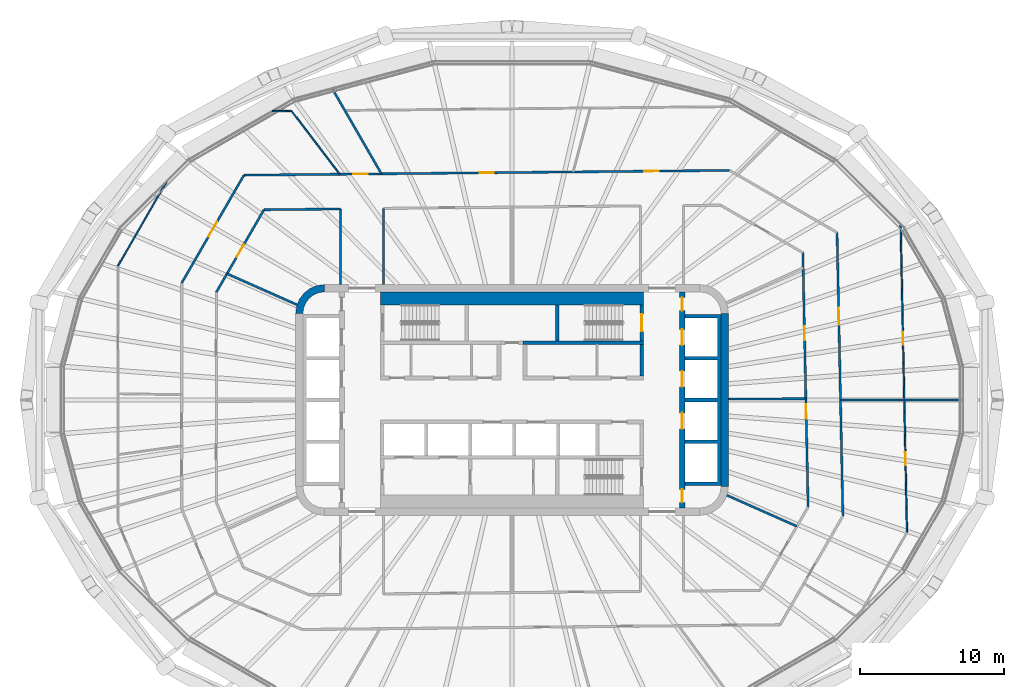
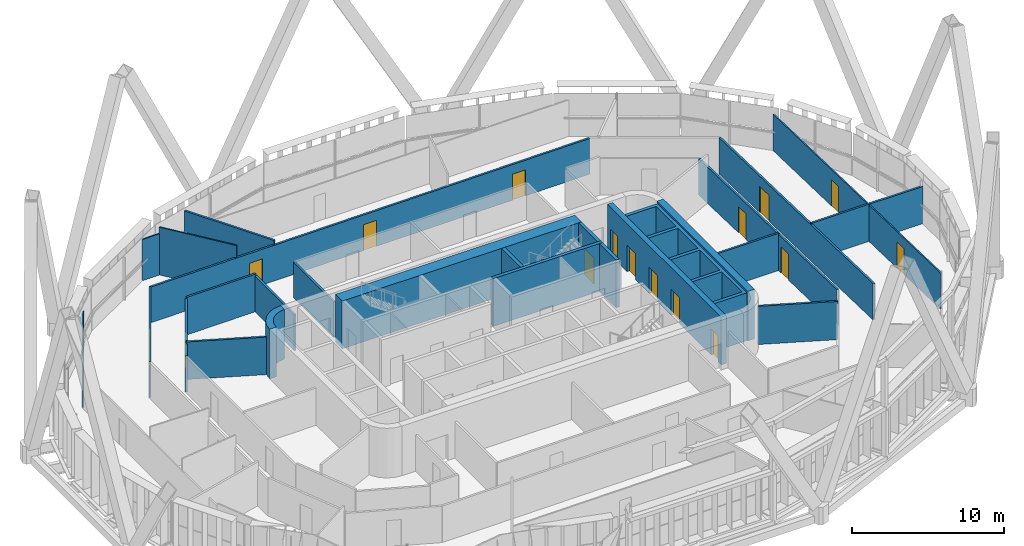
# One storey, part 16 of 25: 26 walls, 16 doors, 16 openings.
"""IFC4 building model written with IfcOpenShell, lengths in metres."""

import ifcopenshell
import ifcopenshell.guid

model = None  # the IFC model being written
_history = None  # IfcOwnerHistory: only IFC2X3 demands one
_inside = {}  # id of a spatial element -> (the spatial element, [elements in it])
_under = {}  # id of a project, library or spatial element -> (it, [spatial elements below it])
_declared = {}  # id of a project -> (the project, [libraries it declares])
_typed = {}  # id of a type object -> (the type object, [elements of that type])
_made_of = {}  # id of a material, layer set ... -> (it, [elements and type objects made of it])


def new_model(schema):
    """Start an empty IFC model of exactly this schema.

    Asked for "IFC4X3", IfcOpenShell would pick the latest addendum, in which some entities
    have other attributes; the version numbers below select the first issue.
    IFC2X3 requires an IfcOwnerHistory on every rooted entity: one is made here for all.
    """
    global model, _history
    if schema == "IFC4X3":
        model = ifcopenshell.file(schema_version=(4, 3, 0, 0))
    else:
        model = ifcopenshell.file(schema=schema)
    _inside.clear()
    _under.clear()
    _declared.clear()
    _typed.clear()
    _made_of.clear()
    _history = None
    if model.schema == "IFC2X3":
        org = make("IfcOrganization", Name="unknown")
        user = make(
            "IfcPersonAndOrganization",
            ThePerson=make("IfcPerson", FamilyName="unknown"),
            TheOrganization=org,
        )
        app = make(
            "IfcApplication",
            ApplicationDeveloper=org,
            Version="unknown",
            ApplicationFullName="unknown",
            ApplicationIdentifier="unknown",
        )
        _history = make(
            "IfcOwnerHistory",
            OwningUser=user,
            OwningApplication=app,
            ChangeAction="ADDED",
            CreationDate=0,
        )
    return model


def make(cls, **values):
    """One entity of the class cls with the attributes given. An attribute that is None is left unset."""
    return model.create_entity(
        cls, **{name: value for name, value in values.items() if value is not None}
    )


def rooted(cls, **values):
    """An entity with a GlobalId (a new one), such as an element, a storey or a relation."""
    return make(cls, GlobalId=ifcopenshell.guid.new(), OwnerHistory=_history, **values)


def si_unit(unit_type, name, prefix=None):
    """IfcSIUnit, for example si_unit("LENGTHUNIT", "METRE", prefix="MILLI")."""
    return make("IfcSIUnit", UnitType=unit_type, Prefix=prefix, Name=name)


def assignment(units):
    """IfcUnitAssignment: the units of a project."""
    return None if units is None else make("IfcUnitAssignment", Units=units)


def point(xyz):
    """IfcCartesianPoint."""
    return None if xyz is None else make("IfcCartesianPoint", Coordinates=xyz)


def direction(xyz):
    """IfcDirection."""
    return None if xyz is None else make("IfcDirection", DirectionRatios=xyz)


def frame(location, z_axis=None, x_axis=None):
    """IfcAxis2Placement3D, a coordinate frame: its origin and axes. An axis left out is left unset."""
    return make(
        "IfcAxis2Placement3D",
        Location=point(location),
        Axis=direction(z_axis),
        RefDirection=direction(x_axis),
    )


def frame_2d(location, x_axis=None):
    """IfcAxis2Placement2D, a coordinate frame in the plane: its origin and x axis."""
    return make(
        "IfcAxis2Placement2D", Location=point(location), RefDirection=direction(x_axis)
    )


def origin():
    """The frame at (0, 0, 0) with its axes left unset."""
    return frame((0.0, 0.0, 0.0))


def place(relative_to, where):
    """IfcLocalPlacement: puts the frame where relative to a parent placement (None: the world)."""
    return make(
        "IfcLocalPlacement", PlacementRelTo=relative_to, RelativePlacement=where
    )


def context(
    kind, dimensions, precision=None, world=None, true_north=None, identifier=None
):
    """IfcGeometricRepresentationContext, for example the 3D "Model" context."""
    return make(
        "IfcGeometricRepresentationContext",
        ContextIdentifier=identifier,
        ContextType=kind,
        CoordinateSpaceDimension=dimensions,
        Precision=precision,
        WorldCoordinateSystem=world,
        TrueNorth=true_north,
    )


def subcontext(parent, identifier, kind, view, scale=None):
    """IfcGeometricRepresentationSubContext, for example "Body" below "Model"."""
    return make(
        "IfcGeometricRepresentationSubContext",
        ContextIdentifier=identifier,
        ContextType=kind,
        ParentContext=parent,
        TargetScale=scale,
        TargetView=view,
    )


def project(units=None, contexts=None):
    """IfcProject with its units and contexts."""
    return rooted(
        "IfcProject",
        Name="project",
        RepresentationContexts=contexts,
        UnitsInContext=assignment(units),
    )


def spatial(cls, under=None, at=None, **own):
    """A site, building, storey or space (cls), placed at a placement, below another one or the project."""
    s = rooted(cls, ObjectPlacement=at, **own)
    if under is not None:
        _under.setdefault(under.id(), (under, []))[1].append(s)
    return s


def polyline(points):
    """IfcPolyline through the points."""
    return make("IfcPolyline", Points=[point(p) for p in points])


def profile(cls, at=None, kind="AREA", **sizes):
    """A parametric profile (cls). Its sizes go by their IFC names, for example OverallWidth=200.0."""
    return make(cls, ProfileType=kind, Position=at, **sizes)


def rectangle(**sizes):
    """IfcRectangleProfileDef."""
    return profile("IfcRectangleProfileDef", **sizes)


def outline(outer, holes=None, kind="AREA"):
    """IfcArbitraryClosedProfileDef: a profile drawn as a closed curve; with holes, ...WithVoids."""
    if holes is None:
        return make("IfcArbitraryClosedProfileDef", ProfileType=kind, OuterCurve=outer)
    return make(
        "IfcArbitraryProfileDefWithVoids",
        ProfileType=kind,
        OuterCurve=outer,
        InnerCurves=holes,
    )


def extrude(swept, where, along, depth):
    """IfcExtrudedAreaSolid: the profile swept, set in the frame where, extruded along a direction by depth."""
    return make(
        "IfcExtrudedAreaSolid",
        SweptArea=swept,
        Position=where,
        ExtrudedDirection=direction(along),
        Depth=depth,
    )


def shape(context_of_items, identifier, shape_type, items):
    """IfcShapeRepresentation: the items that make up one representation, for example the "Body"."""
    return make(
        "IfcShapeRepresentation",
        ContextOfItems=context_of_items,
        RepresentationIdentifier=identifier,
        RepresentationType=shape_type,
        Items=items,
    )


def material(Name=None, Category=None):
    """IfcMaterial."""
    return make("IfcMaterial", Name=Name, Category=Category)


def layer(
    of_material, thickness, ventilated=None, Name=None, Category=None, Priority=None
):
    """IfcMaterialLayer: one layer of a wall or slab, of a material (None: an air gap)."""
    return make(
        "IfcMaterialLayer",
        Material=of_material,
        LayerThickness=thickness,
        IsVentilated=ventilated,
        Name=Name,
        Category=Category,
        Priority=Priority,
    )


def layer_set(layers, Name=None):
    """IfcMaterialLayerSet."""
    return make("IfcMaterialLayerSet", MaterialLayers=layers, LayerSetName=Name)


def made_of(thing, what):
    """Note that an element or type object is made of a material, layer set ...; save() writes the relation."""
    if what is not None:
        _made_of.setdefault(what.id(), (what, []))[1].append(thing)
    return thing


def type_object(cls, material=None, **own):
    """A type object (cls), such as IfcWallType, which elements share."""
    return made_of(rooted(cls, **own), material)


def element(
    cls,
    number,
    at=None,
    inside=None,
    cuts=None,
    type_object=None,
    material=None,
    context=None,
    identifier="Body",
    shape_type=None,
    held_by="IfcProductDefinitionShape",
    body=None,
    shapes=None,
    **own,
):
    """One element of the class cls, such as IfcWall. Its Tag is "e" and its number.

    at: its placement. inside: the storey or other place that contains it. cuts: it is an
    opening in that element (IfcRelVoidsElement). A single representation is given by context,
    identifier, shape_type and body (its items); several are given by shapes. held_by: the class
    of the entity that holds the representations. save() writes the other relations.
    """
    e = rooted(cls, Tag="e%d" % number, ObjectPlacement=at, **own)
    if body is not None:
        shapes = [shape(context, identifier, shape_type, body)]
    if shapes is not None:
        e.Representation = make(held_by, Representations=shapes)
    if inside is not None:
        _inside.setdefault(inside.id(), (inside, []))[1].append(e)
    if cuts is not None:
        rooted(
            "IfcRelVoidsElement", RelatingBuildingElement=cuts, RelatedOpeningElement=e
        )
    if type_object is not None:
        _typed.setdefault(type_object.id(), (type_object, []))[1].append(e)
    return made_of(e, material)


def fill(opening, filler):
    """IfcRelFillsElement: the door or window that sits in an opening."""
    return rooted(
        "IfcRelFillsElement",
        RelatingOpeningElement=opening,
        RelatedBuildingElement=filler,
    )


def aggregate(whole, parts):
    """IfcRelAggregates: a whole, such as a stair, and the parts it consists of."""
    return rooted("IfcRelAggregates", RelatingObject=whole, RelatedObjects=parts)


def save(model, path):
    """Write the relations noted so far, then the file.

    IfcRelAggregates (storeys below a building ...), IfcRelContainedInSpatialStructure (elements
    in a storey), IfcRelDefinesByType, IfcRelAssociatesMaterial and IfcRelDeclares: one each for
    every whole, place, type object, material and project.
    """
    for whole, parts in _under.values():
        aggregate(whole, parts)
    for where, things in _inside.values():
        rooted(
            "IfcRelContainedInSpatialStructure",
            RelatedElements=things,
            RelatingStructure=where,
        )
    for kind, things in _typed.values():
        rooted("IfcRelDefinesByType", RelatedObjects=things, RelatingType=kind)
    for what, things in _made_of.values():
        rooted("IfcRelAssociatesMaterial", RelatedObjects=things, RelatingMaterial=what)
    for by, libraries in _declared.values():
        rooted("IfcRelDeclares", RelatingContext=by, RelatedDefinitions=libraries)
    model.write(path)


model = new_model("IFC4")

# Units and contexts
model_context = context("Model", 3, precision=1e-05, world=origin(), true_north=direction((0.0, 1.0)))
body_context = subcontext(model_context, "Body", "Model", "MODEL_VIEW")
ifc_project = project(units=[si_unit("LENGTHUNIT", "METRE"), si_unit("AREAUNIT", "SQUARE_METRE"), si_unit("VOLUMEUNIT", "CUBIC_METRE"), si_unit("PLANEANGLEUNIT", "RADIAN"), si_unit("MASSUNIT", "GRAM", prefix="KILO")], contexts=[model_context])

# Site, building, storey
site_placement = place(None, origin())
site = spatial("IfcSite", under=ifc_project, at=site_placement, CompositionType="ELEMENT")
building_placement = place(site_placement, origin())
building = spatial("IfcBuilding", under=site, at=building_placement, Name="Sahrelin Media Tower", CompositionType="ELEMENT")
storey_placement = place(building_placement, frame((0.0, 0.0, 165.60009765625)))
storey = spatial("IfcBuildingStorey", under=building, at=storey_placement, Name="L34", CompositionType="ELEMENT", Elevation=165.60009765625)

# Walls
ifc_material_1 = material(Name="Concrete C60/75", Category="concrete")
ifc_layer_1 = layer(ifc_material_1, 0.5)
ifc_layer_set_1 = layer_set([ifc_layer_1], Name="Core wall 500")
wall_type_1 = type_object("IfcWallType", Name="Core wall 500", PredefinedType="SHEAR", material=ifc_layer_set_1)
wall_1_placement = place(storey_placement, frame((14.75, -6.0, 0.0), z_axis=(0.0, 0.0, 1.0), x_axis=(0.0, 1.0, 0.0)))
element("IfcWall", 1, at=wall_1_placement, inside=storey, type_object=wall_type_1, Name="Core wall E L34", PredefinedType="SHEAR", context=body_context, shape_type="SweptSolid", body=[
    extrude(rectangle(XDim=12.0, YDim=0.5, at=frame_2d((6.0, 0.0))), origin(), (0.0, 0.0, 1.0), 4.0),
])
placement = place(storey_placement, origin())
element("IfcWall", 2, at=placement, inside=storey, type_object=wall_type_1, Name="Core wall corner NW L34", PredefinedType="SHEAR", context=body_context, shape_type="SweptSolid", body=[
    extrude(outline(polyline([(-15.0, 6.0), (-14.49560546875, 6.0), (-14.44482421875, 6.38720703125), (-14.29541015625, 6.747802734375), (-14.0576171875, 7.0576171875), (-13.747802734375, 7.29541015625), (-13.38720703125, 7.44482421875), (-13.0, 7.49560546875), (-13.0, 8.0), (-13.517578125, 7.931884765625), (-14.0, 7.732177734375), (-14.414306640625, 7.414306640625), (-14.732177734375, 7.0), (-14.931884765625, 6.517578125), (-15.0, 6.0)])), origin(), (0.0, 0.0, 1.0), 4.0),
])
ifc_material_2 = material(Name="Fire-rated gypsum board partition")
ifc_layer_2 = layer(ifc_material_2, 0.25)
ifc_layer_set_2 = layer_set([ifc_layer_2], Name="Fire-rated lobby wall 250")
wall_type_2 = type_object("IfcWallType", Name="Fire-rated lobby wall 250", PredefinedType="PARTITIONING", material=ifc_layer_set_2)
wall_3_placement = place(storey_placement, frame((9.0, 1.64990234375, 0.0), z_axis=(0.0, 0.0, 1.0), x_axis=(0.0, 1.0, 0.0)))
element("IfcWall", 3, at=wall_3_placement, inside=storey, type_object=wall_type_2, Name="Core lobby wall", PredefinedType="PARTITIONING", context=body_context, shape_type="SweptSolid", body=[
    extrude(rectangle(XDim=2.2001953125, YDim=0.25, at=frame_2d((1.10009765625, 0.0))), origin(), (0.0, 0.0, 1.0), 3.849853515625),
])

# Wall, openings, doors
ifc_layer_3 = layer(ifc_material_2, 0.14990234375)
ifc_layer_set_3 = layer_set([ifc_layer_3], Name="Fire-rated partition 150")
wall_type_3 = type_object("IfcWallType", Name="Fire-rated partition 150", PredefinedType="PARTITIONING", material=ifc_layer_set_3)
wall_4_placement = place(storey_placement, frame((20.1669921875, 10.212890625, 0.0), z_axis=(0.0, 0.0, 1.0), x_axis=(0.020638567039, -0.999787002091, 0.0)))
wall_4 = element("IfcWall", 4, at=wall_4_placement, inside=storey, type_object=wall_type_3, Name="Wall", PredefinedType="PARTITIONING", context=body_context, shape_type="SweptSolid", body=[
    extrude(rectangle(XDim=17.637451171875, YDim=0.14990234375, at=frame_2d((8.81884765625, 0.0))), origin(), (0.0, 0.0, 1.0), 2.927001953125),
])
opening_1_placement = place(wall_4_placement, frame((10.50732421875, 0.0, 0.0)))
opening_1 = element("IfcOpeningElement", 5, at=opening_1_placement, cuts=wall_4, Name="Opening L34-D25", PredefinedType="OPENING", context=body_context, shape_type="SweptSolid", body=[
    extrude(rectangle(XDim=1.0, YDim=2.10009765625, at=frame_2d((0.5, 1.050048828125))), frame((0.0, 0.074951171875, 0.0), z_axis=(0.0, -1.0, 0.0), x_axis=(1.0, 0.0, 0.0)), (0.0, 0.0, 1.0), 0.14990234375),
])
opening_2_placement = place(wall_4_placement, frame((5.089111328125, 0.0, 0.0)))
opening_2 = element("IfcOpeningElement", 6, at=opening_2_placement, cuts=wall_4, Name="Opening L34-D26", PredefinedType="OPENING", context=body_context, shape_type="SweptSolid", body=[
    extrude(rectangle(XDim=1.0, YDim=2.10009765625, at=frame_2d((0.5, 1.050048828125))), frame((0.0, 0.074951171875, 0.0), z_axis=(0.0, -1.0, 0.0), x_axis=(1.0, 0.0, 0.0)), (0.0, 0.0, 1.0), 0.14990234375),
])
ifc_material_3 = material(Name="Steel fire door leaf", Category="steel")
door_type_1 = type_object("IfcDoorType", Name="Fire door 1000 x 2100 EI 60", OperationType="NOTDEFINED", PredefinedType="DOOR", material=ifc_material_3)
door_1_placement = place(opening_1_placement, origin())
door_1 = element("IfcDoor", 7, at=door_1_placement, inside=storey, type_object=door_type_1, Name="Fire door", OperationType="SINGLE_SWING_RIGHT", OverallHeight=2.10009765625, OverallWidth=1.0, PredefinedType="DOOR", context=body_context, shape_type="SweptSolid", body=[
    extrude(rectangle(XDim=1.0, YDim=2.10009765625, at=frame_2d((0.5, 1.050048828125))), frame((0.0, 0.02490234375, 0.0), z_axis=(0.0, -1.0, 0.0), x_axis=(1.0, 0.0, 0.0)), (0.0, 0.0, 1.0), 0.050048828125),
])
fill(opening_1, door_1)
door_2_placement = place(opening_2_placement, origin())
door_2 = element("IfcDoor", 8, at=door_2_placement, inside=storey, type_object=door_type_1, Name="Fire door", OperationType="SINGLE_SWING_LEFT", OverallHeight=2.10009765625, OverallWidth=1.0, PredefinedType="DOOR", context=body_context, shape_type="SweptSolid", body=[
    extrude(rectangle(XDim=1.0, YDim=2.10009765625, at=frame_2d((0.5, 1.050048828125))), frame((0.0, 0.02490234375, 0.0), z_axis=(0.0, -1.0, 0.0), x_axis=(1.0, 0.0, 0.0)), (0.0, 0.0, 1.0), 0.050048828125),
])
fill(opening_2, door_2)

# Wall, opening, door
wall_5_placement = place(storey_placement, frame((22.5390625, 11.614990234375, 0.0), z_axis=(0.0, 0.0, 1.0), x_axis=(0.020626332176, -0.99978725458, 0.0)))
wall_5 = element("IfcWall", 9, at=wall_5_placement, inside=storey, type_object=wall_type_3, Name="Wall", PredefinedType="PARTITIONING", context=body_context, shape_type="SweptSolid", body=[
    extrude(rectangle(XDim=19.66015625, YDim=0.14990234375, at=frame_2d((9.830078125, 0.0))), origin(), (0.0, 0.0, 1.0), 2.927001953125),
])
opening_3_placement = place(wall_5_placement, frame((5.20751953125, 0.0, 0.0)))
opening_3 = element("IfcOpeningElement", 10, at=opening_3_placement, cuts=wall_5, Name="Opening L34-D48", PredefinedType="OPENING", context=body_context, shape_type="SweptSolid", body=[
    extrude(rectangle(XDim=1.199951171875, YDim=2.10009765625, at=frame_2d((0.60009765625, 1.050048828125))), frame((0.0, 0.074951171875, 0.0), z_axis=(0.0, -1.0, 0.0), x_axis=(1.0, 0.0, 0.0)), (0.0, 0.0, 1.0), 0.14990234375),
])
door_type_2 = type_object("IfcDoorType", Name="Service double door 1200 x 2100 EI 60", OperationType="DOUBLE_DOOR_SINGLE_SWING", PredefinedType="DOOR", material=ifc_material_3)
door_3_placement = place(opening_3_placement, origin())
door_3 = element("IfcDoor", 11, at=door_3_placement, inside=storey, type_object=door_type_2, Name="Service double door", OperationType="DOUBLE_DOOR_SINGLE_SWING", OverallHeight=2.10009765625, OverallWidth=1.199951171875, PredefinedType="DOOR", context=body_context, shape_type="SweptSolid", body=[
    extrude(rectangle(XDim=1.199951171875, YDim=2.10009765625, at=frame_2d((0.60009765625, 1.050048828125))), frame((0.0, 0.02490234375, 0.0), z_axis=(0.0, -1.0, 0.0), x_axis=(1.0, 0.0, 0.0)), (0.0, 0.0, 1.0), 0.050048828125),
])
fill(opening_3, door_3)

# Walls
wall_6_placement = place(storey_placement, frame((-12.466064453125, 21.592041015625, 0.0), z_axis=(0.0, 0.0, 1.0), x_axis=(0.500029032144, -0.866008641419, 0.0)))
element("IfcWall", 12, at=wall_6_placement, inside=storey, type_object=wall_type_3, Name="Wall", PredefinedType="PARTITIONING", context=body_context, shape_type="SweptSolid", body=[
    extrude(rectangle(XDim=6.82421875, YDim=0.14990234375, at=frame_2d((3.412109375, 0.0))), origin(), (0.0, 0.0, 1.0), 3.251708984375),
])
wall_7_placement = place(storey_placement, frame((-19.760009765625, 8.7548828125, 0.0), z_axis=(0.0, 0.0, 1.0), x_axis=(0.91424834547, -0.405154245695, 0.0)))
element("IfcWall", 13, at=wall_7_placement, inside=storey, type_object=wall_type_3, Name="Wall", PredefinedType="PARTITIONING", context=body_context, shape_type="SweptSolid", body=[
    extrude(rectangle(XDim=5.31787109375, YDim=0.14990234375, at=frame_2d((2.658935546875, 0.0))), origin(), (0.0, 0.0, 1.0), 3.02587890625),
])
wall_8_placement = place(storey_placement, frame((14.89501953125, -6.60693359375, 0.0), z_axis=(0.0, 0.0, 1.0), x_axis=(0.914233271379, -0.405188259337, 0.0)))
element("IfcWall", 14, at=wall_8_placement, inside=storey, type_object=wall_type_3, Name="Wall", PredefinedType="PARTITIONING", context=body_context, shape_type="SweptSolid", body=[
    extrude(rectangle(XDim=5.3173828125, YDim=0.14990234375, at=frame_2d((2.65869140625, 0.0))), origin(), (0.0, 0.0, 1.0), 3.075927734375),
])
wall_9_placement = place(storey_placement, frame((22.778076171875, 0.0, 0.0), z_axis=(0.0, 0.0, 1.0), x_axis=(1.0, 0.0, 0.0)))
element("IfcWall", 15, at=wall_9_placement, inside=storey, type_object=wall_type_3, Name="Wall", PredefinedType="PARTITIONING", context=body_context, shape_type="SweptSolid", body=[
    extrude(rectangle(XDim=8.505859375, YDim=0.14990234375, at=frame_2d((4.2529296875, 0.0))), origin(), (0.0, 0.0, 1.0), 2.994873046875),
])
wall_10_placement = place(storey_placement, frame((15.0, 0.06298828125, 0.0), z_axis=(0.0, 0.0, 1.0), x_axis=(0.999990294223, 0.004405843865, 0.0)))
element("IfcWall", 16, at=wall_10_placement, inside=storey, type_object=wall_type_3, Name="Wall", PredefinedType="PARTITIONING", context=body_context, shape_type="SweptSolid", body=[
    extrude(rectangle(XDim=5.375, YDim=0.14990234375, at=frame_2d((2.6875, 0.0))), origin(), (0.0, 0.0, 1.0), 2.994873046875),
])
wall_11_placement = place(storey_placement, frame((-17.194091796875, 13.19091796875, 0.0), z_axis=(0.0, 0.0, 1.0), x_axis=(0.999950853109, 0.009914200296, 0.0)))
element("IfcWall", 17, at=wall_11_placement, inside=storey, type_object=wall_type_3, Name="Wall", PredefinedType="PARTITIONING", context=body_context, shape_type="SweptSolid", body=[
    extrude(rectangle(XDim=5.29443359375, YDim=0.14990234375, at=frame_2d((2.647216796875, 0.0))), origin(), (0.0, 0.0, 1.0), 3.02587890625),
])

# Wall, openings, doors
wall_12_placement = place(storey_placement, frame((-18.5869140625, 15.5869140625, 0.0), z_axis=(0.0, 0.0, 1.0), x_axis=(0.999950941879, 0.009905242833, 0.0)))
wall_12 = element("IfcWall", 18, at=wall_12_placement, inside=storey, type_object=wall_type_3, Name="Wall", PredefinedType="PARTITIONING", context=body_context, shape_type="SweptSolid", body=[
    extrude(rectangle(XDim=33.668701171875, YDim=0.14990234375, at=frame_2d((16.83447265625, 0.0))), origin(), (0.0, 0.0, 1.0), 2.876953125),
])
opening_4_placement = place(wall_12_placement, frame((7.591064453125, 0.0, 0.0)))
opening_4 = element("IfcOpeningElement", 19, at=opening_4_placement, cuts=wall_12, Name="Opening L34-D34", PredefinedType="OPENING", context=body_context, shape_type="SweptSolid", body=[
    extrude(rectangle(XDim=1.0, YDim=2.10009765625, at=frame_2d((0.5, 1.050048828125))), frame((0.0, 0.074951171875, 0.0), z_axis=(0.0, -1.0, 0.0), x_axis=(1.0, 0.0, 0.0)), (0.0, 0.0, 1.0), 0.14990234375),
])
opening_5_placement = place(wall_12_placement, frame((27.746337890625, 0.0, 0.0)))
opening_5 = element("IfcOpeningElement", 20, at=opening_5_placement, cuts=wall_12, Name="Opening L34-D50", PredefinedType="OPENING", context=body_context, shape_type="SweptSolid", body=[
    extrude(rectangle(XDim=1.0, YDim=2.10009765625, at=frame_2d((0.5, 1.050048828125))), frame((0.0, 0.074951171875, 0.0), z_axis=(0.0, -1.0, 0.0), x_axis=(1.0, 0.0, 0.0)), (0.0, 0.0, 1.0), 0.14990234375),
])
opening_6_placement = place(wall_12_placement, frame((16.334716796875, 0.0, 0.0)))
opening_6 = element("IfcOpeningElement", 21, at=opening_6_placement, cuts=wall_12, Name="Opening L34-D51", PredefinedType="OPENING", context=body_context, shape_type="SweptSolid", body=[
    extrude(rectangle(XDim=1.0, YDim=2.10009765625, at=frame_2d((0.5, 1.050048828125))), frame((0.0, 0.074951171875, 0.0), z_axis=(0.0, -1.0, 0.0), x_axis=(1.0, 0.0, 0.0)), (0.0, 0.0, 1.0), 0.14990234375),
])
door_4_placement = place(opening_4_placement, origin())
door_4 = element("IfcDoor", 22, at=door_4_placement, inside=storey, type_object=door_type_1, Name="Fire door", OperationType="SINGLE_SWING_RIGHT", OverallHeight=2.10009765625, OverallWidth=1.0, PredefinedType="DOOR", context=body_context, shape_type="SweptSolid", body=[
    extrude(rectangle(XDim=1.0, YDim=2.10009765625, at=frame_2d((0.5, 1.050048828125))), frame((0.0, 0.02490234375, 0.0), z_axis=(0.0, -1.0, 0.0), x_axis=(1.0, 0.0, 0.0)), (0.0, 0.0, 1.0), 0.050048828125),
])
fill(opening_4, door_4)
door_5_placement = place(opening_5_placement, origin())
door_5 = element("IfcDoor", 23, at=door_5_placement, inside=storey, type_object=door_type_1, Name="Fire door", OperationType="SINGLE_SWING_LEFT", OverallHeight=2.10009765625, OverallWidth=1.0, PredefinedType="DOOR", context=body_context, shape_type="SweptSolid", body=[
    extrude(rectangle(XDim=1.0, YDim=2.10009765625, at=frame_2d((0.5, 1.050048828125))), frame((0.0, 0.02490234375, 0.0), z_axis=(0.0, -1.0, 0.0), x_axis=(1.0, 0.0, 0.0)), (0.0, 0.0, 1.0), 0.050048828125),
])
fill(opening_5, door_5)
door_6_placement = place(opening_6_placement, origin())
door_6 = element("IfcDoor", 24, at=door_6_placement, inside=storey, type_object=door_type_1, Name="Fire door", OperationType="SINGLE_SWING_LEFT", OverallHeight=2.10009765625, OverallWidth=1.0, PredefinedType="DOOR", context=body_context, shape_type="SweptSolid", body=[
    extrude(rectangle(XDim=1.0, YDim=2.10009765625, at=frame_2d((0.5, 1.050048828125))), frame((0.0, 0.02490234375, 0.0), z_axis=(0.0, -1.0, 0.0), x_axis=(1.0, 0.0, 0.0)), (0.0, 0.0, 1.0), 0.050048828125),
])
fill(opening_6, door_6)

# Wall, opening, door
wall_13_placement = place(storey_placement, frame((-20.5, 7.47412109375, 0.0), z_axis=(0.0, 0.0, 1.0), x_axis=(0.500012665616, 0.866018091164, 0.0)))
wall_13 = element("IfcWall", 25, at=wall_13_placement, inside=storey, type_object=wall_type_3, Name="Wall", PredefinedType="PARTITIONING", context=body_context, shape_type="SweptSolid", body=[
    extrude(rectangle(XDim=6.602294921875, YDim=0.14990234375, at=frame_2d((3.30126953125, 0.0))), origin(), (0.0, 0.0, 1.0), 2.876953125),
])
opening_7_placement = place(wall_13_placement, frame((2.80322265625, 0.0, 0.0)))
opening_7 = element("IfcOpeningElement", 26, at=opening_7_placement, cuts=wall_13, Name="Opening L34-D30", PredefinedType="OPENING", context=body_context, shape_type="SweptSolid", body=[
    extrude(rectangle(XDim=1.0, YDim=2.10009765625, at=frame_2d((0.5, 1.050048828125))), frame((0.0, 0.074951171875, 0.0), z_axis=(0.0, -1.0, 0.0), x_axis=(1.0, 0.0, 0.0)), (0.0, 0.0, 1.0), 0.14990234375),
])
door_7_placement = place(opening_7_placement, origin())
door_7 = element("IfcDoor", 27, at=door_7_placement, inside=storey, type_object=door_type_1, Name="Fire door", OperationType="SINGLE_SWING_LEFT", OverallHeight=2.10009765625, OverallWidth=1.0, PredefinedType="DOOR", context=body_context, shape_type="SweptSolid", body=[
    extrude(rectangle(XDim=1.0, YDim=2.10009765625, at=frame_2d((0.5, 1.050048828125))), frame((0.0, 0.02490234375, 0.0), z_axis=(0.0, -1.0, 0.0), x_axis=(1.0, 0.0, 0.0)), (0.0, 0.0, 1.0), 0.050048828125),
])
fill(opening_7, door_7)

wall_14_placement = place(storey_placement, frame((-22.89990234375, 8.116943359375, 0.0), z_axis=(0.0, 0.0, 1.0), x_axis=(0.500017275495, 0.866015429543, 0.0)))
wall_14 = element("IfcWall", 28, at=wall_14_placement, inside=storey, type_object=wall_type_3, Name="Wall", PredefinedType="PARTITIONING", context=body_context, shape_type="SweptSolid", body=[
    extrude(rectangle(XDim=8.625732421875, YDim=0.14990234375, at=frame_2d((4.31298828125, 0.0))), origin(), (0.0, 0.0, 1.0), 2.876953125),
])
opening_8_placement = place(wall_14_placement, frame((3.712890625, 0.0, 0.0)))
opening_8 = element("IfcOpeningElement", 29, at=opening_8_placement, cuts=wall_14, Name="Opening L34-D35", PredefinedType="OPENING", context=body_context, shape_type="SweptSolid", body=[
    extrude(rectangle(XDim=1.199951171875, YDim=2.10009765625, at=frame_2d((0.60009765625, 1.050048828125))), frame((0.0, 0.074951171875, 0.0), z_axis=(0.0, -1.0, 0.0), x_axis=(1.0, 0.0, 0.0)), (0.0, 0.0, 1.0), 0.14990234375),
])
door_8_placement = place(opening_8_placement, origin())
door_8 = element("IfcDoor", 30, at=door_8_placement, inside=storey, type_object=door_type_2, Name="Service double door", OperationType="DOUBLE_DOOR_SINGLE_SWING", OverallHeight=2.10009765625, OverallWidth=1.199951171875, PredefinedType="DOOR", context=body_context, shape_type="SweptSolid", body=[
    extrude(rectangle(XDim=1.199951171875, YDim=2.10009765625, at=frame_2d((0.60009765625, 1.050048828125))), frame((0.0, 0.02490234375, 0.0), z_axis=(0.0, -1.0, 0.0), x_axis=(1.0, 0.0, 0.0)), (0.0, 0.0, 1.0), 0.050048828125),
])
fill(opening_8, door_8)

# Walls
wall_15_placement = place(storey_placement, frame((-8.89990234375, 8.0, 0.0), z_axis=(0.0, 0.0, 1.0), x_axis=(0.0, 1.0, 0.0)))
element("IfcWall", 31, at=wall_15_placement, inside=storey, type_object=wall_type_3, Name="Wall", PredefinedType="PARTITIONING", context=body_context, shape_type="SweptSolid", body=[
    extrude(rectangle(XDim=5.282958984375, YDim=0.14990234375, at=frame_2d((2.6416015625, 0.0))), origin(), (0.0, 0.0, 1.0), 2.876953125),
])
wall_16_placement = place(storey_placement, frame((-11.89990234375, 8.0, 0.0), z_axis=(0.0, 0.0, 1.0), x_axis=(0.0, 1.0, 0.0)))
element("IfcWall", 32, at=wall_16_placement, inside=storey, type_object=wall_type_3, Name="Wall", PredefinedType="PARTITIONING", context=body_context, shape_type="SweptSolid", body=[
    extrude(rectangle(XDim=5.242919921875, YDim=0.14990234375, at=frame_2d((2.62158203125, 0.0))), origin(), (0.0, 0.0, 1.0), 2.876953125),
])
ifc_layer_4 = layer(ifc_material_1, 0.25)
ifc_layer_set_4 = layer_set([ifc_layer_4], Name="Lift shaft wall 250")
wall_type_4 = type_object("IfcWallType", Name="Lift shaft wall 250", PredefinedType="SOLIDWALL", material=ifc_layer_set_4)
element("IfcWall", 33, at=placement, inside=storey, type_object=wall_type_4, Name="Lift shaft wall", PredefinedType="SOLIDWALL", context=body_context, shape_type="SweptSolid", body=[
    extrude(outline(polyline([(12.0, -5.675048828125), (12.0, -5.925048828125), (14.25, -5.925048828125), (14.5, -5.925048828125), (14.5, -5.675048828125), (14.5, -3.02490234375), (14.5, -2.77490234375), (14.5, -0.125), (14.5, 0.125), (14.5, 2.77490234375), (14.5, 3.02490234375), (14.5, 5.675048828125), (14.5, 5.925048828125), (14.25, 5.925048828125), (12.0, 5.925048828125), (12.0, 5.675048828125), (14.25, 5.675048828125), (14.25, 3.02490234375), (12.0, 3.02490234375), (12.0, 2.77490234375), (14.25, 2.77490234375), (14.25, 0.125), (12.0, 0.125), (12.0, -0.125), (14.25, -0.125), (14.25, -2.77490234375), (12.0, -2.77490234375), (12.0, -3.02490234375), (14.25, -3.02490234375), (14.25, -5.675048828125), (12.0, -5.675048828125)])), origin(), (0.0, 0.0, 1.0), 3.849853515625),
])

# Wall, openings, doors
ifc_layer_5 = layer(ifc_material_1, 0.39990234375)
ifc_layer_set_5 = layer_set([ifc_layer_5], Name="Lift shaft wall 400")
wall_type_5 = type_object("IfcWallType", Name="Lift shaft wall 400", PredefinedType="SOLIDWALL", material=ifc_layer_set_5)
wall_18_placement = place(storey_placement, frame((11.800048828125, -7.5, 0.0), z_axis=(0.0, 0.0, 1.0), x_axis=(0.0, 1.0, 0.0)))
wall_18 = element("IfcWall", 34, at=wall_18_placement, inside=storey, type_object=wall_type_5, Name="Lift shaft wall", PredefinedType="SOLIDWALL", context=body_context, shape_type="SweptSolid", body=[
    extrude(rectangle(XDim=15.0, YDim=0.39990234375, at=frame_2d((7.5, 0.0))), origin(), (0.0, 0.0, 1.0), 3.849853515625),
])
opening_9_placement = place(wall_18_placement, frame((11.300048828125, 0.0, 0.0)))
opening_9 = element("IfcOpeningElement", 35, at=opening_9_placement, cuts=wall_18, Name="Opening L34-LD-LR4", PredefinedType="OPENING", context=body_context, shape_type="SweptSolid", body=[
    extrude(rectangle(XDim=1.10009765625, YDim=2.10009765625, at=frame_2d((0.550048828125, 1.050048828125))), frame((0.0, 0.199951171875, 0.0), z_axis=(0.0, -1.0, 0.0), x_axis=(1.0, 0.0, 0.0)), (0.0, 0.0, 1.0), 0.39990234375),
])
opening_10_placement = place(wall_18_placement, frame((8.39990234375, 0.0, 0.0)))
opening_10 = element("IfcOpeningElement", 36, at=opening_10_placement, cuts=wall_18, Name="Opening L34-LD-LR5", PredefinedType="OPENING", context=body_context, shape_type="SweptSolid", body=[
    extrude(rectangle(XDim=1.10009765625, YDim=2.10009765625, at=frame_2d((0.550048828125, 1.050048828125))), frame((0.0, 0.199951171875, 0.0), z_axis=(0.0, -1.0, 0.0), x_axis=(1.0, 0.0, 0.0)), (0.0, 0.0, 1.0), 0.39990234375),
])
opening_11_placement = place(wall_18_placement, frame((5.5, 0.0, 0.0)))
opening_11 = element("IfcOpeningElement", 37, at=opening_11_placement, cuts=wall_18, Name="Opening L34-LD-LR6", PredefinedType="OPENING", context=body_context, shape_type="SweptSolid", body=[
    extrude(rectangle(XDim=1.10009765625, YDim=2.10009765625, at=frame_2d((0.550048828125, 1.050048828125))), frame((0.0, 0.199951171875, 0.0), z_axis=(0.0, -1.0, 0.0), x_axis=(1.0, 0.0, 0.0)), (0.0, 0.0, 1.0), 0.39990234375),
])
opening_12_placement = place(wall_18_placement, frame((13.696533203125, 0.0, 0.0)))
opening_12 = element("IfcOpeningElement", 38, at=opening_12_placement, cuts=wall_18, Name="Opening L34-D16", PredefinedType="OPENING", context=body_context, shape_type="SweptSolid", body=[
    extrude(rectangle(XDim=0.89990234375, YDim=2.10009765625, at=frame_2d((0.449951171875, 1.050048828125))), frame((0.0, 0.199951171875, 0.0), z_axis=(0.0, -1.0, 0.0), x_axis=(1.0, 0.0, 0.0)), (0.0, 0.0, 1.0), 0.39990234375),
])
opening_13_placement = place(wall_18_placement, frame((0.4033203125, 0.0, 0.0)))
opening_13 = element("IfcOpeningElement", 39, at=opening_13_placement, cuts=wall_18, Name="Opening L34-D17", PredefinedType="OPENING", context=body_context, shape_type="SweptSolid", body=[
    extrude(rectangle(XDim=0.89990234375, YDim=2.10009765625, at=frame_2d((0.449951171875, 1.050048828125))), frame((0.0, 0.199951171875, 0.0), z_axis=(0.0, -1.0, 0.0), x_axis=(1.0, 0.0, 0.0)), (0.0, 0.0, 1.0), 0.39990234375),
])
ifc_material_4 = material(Name="Stainless steel", Category="steel")
door_type_3 = type_object("IfcDoorType", Name="Lift landing door 1100 x 2100 EI 120", OperationType="DOUBLE_DOOR_SLIDING", PredefinedType="DOOR", material=ifc_material_4)
door_9_placement = place(opening_9_placement, origin())
door_9 = element("IfcDoor", 40, at=door_9_placement, inside=storey, type_object=door_type_3, Name="Lift landing door LR4", OperationType="DOUBLE_DOOR_SLIDING", OverallHeight=2.10009765625, OverallWidth=1.10009765625, PredefinedType="DOOR", context=body_context, shape_type="SweptSolid", body=[
    extrude(rectangle(XDim=1.10009765625, YDim=2.10009765625, at=frame_2d((0.550048828125, 1.050048828125))), frame((0.0, 0.02490234375, 0.0), z_axis=(0.0, -1.0, 0.0), x_axis=(1.0, 0.0, 0.0)), (0.0, 0.0, 1.0), 0.050048828125),
])
fill(opening_9, door_9)
door_10_placement = place(opening_10_placement, origin())
door_10 = element("IfcDoor", 41, at=door_10_placement, inside=storey, type_object=door_type_3, Name="Lift landing door LR5", OperationType="DOUBLE_DOOR_SLIDING", OverallHeight=2.10009765625, OverallWidth=1.10009765625, PredefinedType="DOOR", context=body_context, shape_type="SweptSolid", body=[
    extrude(rectangle(XDim=1.10009765625, YDim=2.10009765625, at=frame_2d((0.550048828125, 1.050048828125))), frame((0.0, 0.02490234375, 0.0), z_axis=(0.0, -1.0, 0.0), x_axis=(1.0, 0.0, 0.0)), (0.0, 0.0, 1.0), 0.050048828125),
])
fill(opening_10, door_10)
door_11_placement = place(opening_11_placement, origin())
door_11 = element("IfcDoor", 42, at=door_11_placement, inside=storey, type_object=door_type_3, Name="Lift landing door LR6", OperationType="DOUBLE_DOOR_SLIDING", OverallHeight=2.10009765625, OverallWidth=1.10009765625, PredefinedType="DOOR", context=body_context, shape_type="SweptSolid", body=[
    extrude(rectangle(XDim=1.10009765625, YDim=2.10009765625, at=frame_2d((0.550048828125, 1.050048828125))), frame((0.0, 0.02490234375, 0.0), z_axis=(0.0, -1.0, 0.0), x_axis=(1.0, 0.0, 0.0)), (0.0, 0.0, 1.0), 0.050048828125),
])
fill(opening_11, door_11)
door_type_4 = type_object("IfcDoorType", Name="Riser door 900 x 2100 EI 120", OperationType="NOTDEFINED", PredefinedType="DOOR", material=ifc_material_3)
door_12_placement = place(opening_12_placement, origin())
door_12 = element("IfcDoor", 43, at=door_12_placement, inside=storey, type_object=door_type_4, Name="Riser door", OperationType="SINGLE_SWING_RIGHT", OverallHeight=2.10009765625, OverallWidth=0.89990234375, PredefinedType="DOOR", context=body_context, shape_type="SweptSolid", body=[
    extrude(rectangle(XDim=0.89990234375, YDim=2.10009765625, at=frame_2d((0.449951171875, 1.050048828125))), frame((0.0, 0.02490234375, 0.0), z_axis=(0.0, -1.0, 0.0), x_axis=(1.0, 0.0, 0.0)), (0.0, 0.0, 1.0), 0.050048828125),
])
fill(opening_12, door_12)
door_13_placement = place(opening_13_placement, origin())
door_13 = element("IfcDoor", 44, at=door_13_placement, inside=storey, type_object=door_type_4, Name="Riser door", OperationType="SINGLE_SWING_RIGHT", OverallHeight=2.10009765625, OverallWidth=0.89990234375, PredefinedType="DOOR", context=body_context, shape_type="SweptSolid", body=[
    extrude(rectangle(XDim=0.89990234375, YDim=2.10009765625, at=frame_2d((0.449951171875, 1.050048828125))), frame((0.0, 0.02490234375, 0.0), z_axis=(0.0, -1.0, 0.0), x_axis=(1.0, 0.0, 0.0)), (0.0, 0.0, 1.0), 0.050048828125),
])
fill(opening_13, door_13)

ifc_material_5 = material(Name="Gypsum board partition")
ifc_layer_6 = layer(ifc_material_5, 0.10009765625)
ifc_layer_set_6 = layer_set([ifc_layer_6], Name="Partition 100")
wall_type_6 = type_object("IfcWallType", Name="Partition 100", PredefinedType="PARTITIONING", material=ifc_layer_set_6)
wall_19_placement = place(storey_placement, frame((26.948974609375, 12.1669921875, 0.0), z_axis=(0.0, 0.0, 1.0), x_axis=(0.020567403716, -0.999788468579, 0.0)))
wall_19 = element("IfcWall", 45, at=wall_19_placement, inside=storey, type_object=wall_type_6, Name="Wall", PredefinedType="PARTITIONING", context=body_context, shape_type="SweptSolid", body=[
    extrude(rectangle(XDim=21.354736328125, YDim=0.10009765625, at=frame_2d((10.67724609375, 0.0))), origin(), (0.0, 0.0, 1.0), 2.927001953125),
])
opening_14_placement = place(wall_19_placement, frame((15.806396484375, 0.0, 0.0)))
opening_14 = element("IfcOpeningElement", 46, at=opening_14_placement, cuts=wall_19, Name="Opening L34-D47", PredefinedType="OPENING", context=body_context, shape_type="SweptSolid", body=[
    extrude(rectangle(XDim=0.89990234375, YDim=2.10009765625, at=frame_2d((0.449951171875, 1.050048828125))), frame((0.0, 0.050048828125, 0.0), z_axis=(0.0, -1.0, 0.0), x_axis=(1.0, 0.0, 0.0)), (0.0, 0.0, 1.0), 0.10009765625),
])
opening_15_placement = place(wall_19_placement, frame((7.44677734375, 0.0, 0.0)))
opening_15 = element("IfcOpeningElement", 47, at=opening_15_placement, cuts=wall_19, Name="Opening L34-D49", PredefinedType="OPENING", context=body_context, shape_type="SweptSolid", body=[
    extrude(rectangle(XDim=0.89990234375, YDim=2.10009765625, at=frame_2d((0.449951171875, 1.050048828125))), frame((0.0, 0.050048828125, 0.0), z_axis=(0.0, -1.0, 0.0), x_axis=(1.0, 0.0, 0.0)), (0.0, 0.0, 1.0), 0.10009765625),
])
ifc_material_6 = material(Name="Timber door leaf", Category="wood")
door_type_5 = type_object("IfcDoorType", Name="Single door 900 x 2100", OperationType="NOTDEFINED", PredefinedType="DOOR", material=ifc_material_6)
door_14_placement = place(opening_14_placement, origin())
door_14 = element("IfcDoor", 48, at=door_14_placement, inside=storey, type_object=door_type_5, Name="Single door", OperationType="SINGLE_SWING_RIGHT", OverallHeight=2.10009765625, OverallWidth=0.89990234375, PredefinedType="DOOR", context=body_context, shape_type="SweptSolid", body=[
    extrude(rectangle(XDim=0.89990234375, YDim=2.10009765625, at=frame_2d((0.449951171875, 1.050048828125))), frame((0.0, 0.02490234375, 0.0), z_axis=(0.0, -1.0, 0.0), x_axis=(1.0, 0.0, 0.0)), (0.0, 0.0, 1.0), 0.050048828125),
])
fill(opening_14, door_14)
door_15_placement = place(opening_15_placement, origin())
door_15 = element("IfcDoor", 49, at=door_15_placement, inside=storey, type_object=door_type_5, Name="Single door", OperationType="SINGLE_SWING_RIGHT", OverallHeight=2.10009765625, OverallWidth=0.89990234375, PredefinedType="DOOR", context=body_context, shape_type="SweptSolid", body=[
    extrude(rectangle(XDim=0.89990234375, YDim=2.10009765625, at=frame_2d((0.449951171875, 1.050048828125))), frame((0.0, 0.02490234375, 0.0), z_axis=(0.0, -1.0, 0.0), x_axis=(1.0, 0.0, 0.0)), (0.0, 0.0, 1.0), 0.050048828125),
])
fill(opening_15, door_15)

# Walls
wall_20_placement = place(storey_placement, frame((-15.2900390625, 20.0400390625, 0.0), z_axis=(0.0, 0.0, 1.0), x_axis=(0.606556319782, -0.795040521567, 0.0)))
element("IfcWall", 50, at=wall_20_placement, inside=storey, type_object=wall_type_6, Name="Wall", PredefinedType="PARTITIONING", context=body_context, shape_type="SweptSolid", body=[
    extrude(rectangle(XDim=5.517822265625, YDim=0.10009765625, at=frame_2d((2.7587890625, 0.0))), origin(), (0.0, 0.0, 1.0), 3.849853515625),
])
wall_21_placement = place(storey_placement, frame((-16.6220703125, 20.027099609375, 0.0), z_axis=(0.0, 0.0, 1.0), x_axis=(0.9999528217, 0.009713617953, 0.0)))
element("IfcWall", 51, at=wall_21_placement, inside=storey, type_object=wall_type_6, Name="Wall", PredefinedType="PARTITIONING", context=body_context, shape_type="SweptSolid", body=[
    extrude(rectangle(XDim=1.33203125, YDim=0.10009765625, at=frame_2d((0.666015625, 0.0))), origin(), (0.0, 0.0, 1.0), 3.322998046875),
])
wall_22_placement = place(storey_placement, frame((-27.320068359375, 9.301025390625, 0.0), z_axis=(0.0, 0.0, 1.0), x_axis=(0.500025204458, 0.866010851495, 0.0)))
element("IfcWall", 52, at=wall_22_placement, inside=storey, type_object=wall_type_6, Name="Wall", PredefinedType="PARTITIONING", context=body_context, shape_type="SweptSolid", body=[
    extrude(rectangle(XDim=6.817626953125, YDim=0.10009765625, at=frame_2d((3.40869140625, 0.0))), origin(), (0.0, 0.0, 1.0), 3.02587890625),
])

# Wall, opening, door
ifc_layer_7 = layer(ifc_material_1, 0.25)
ifc_layer_set_7 = layer_set([ifc_layer_7], Name="Stair enclosure wall 250")
wall_type_7 = type_object("IfcWallType", Name="Stair enclosure wall 250", PredefinedType="SOLIDWALL", material=ifc_layer_set_7)
wall_23_placement = place(storey_placement, frame((9.0, 4.10009765625, 0.0), z_axis=(0.0, 0.0, 1.0), x_axis=(0.0, 1.0, 0.0)))
wall_23 = element("IfcWall", 53, at=wall_23_placement, inside=storey, type_object=wall_type_7, Name="Stair enclosure wall", PredefinedType="SOLIDWALL", context=body_context, shape_type="SweptSolid", body=[
    extrude(rectangle(XDim=2.5, YDim=0.25, at=frame_2d((1.25, 0.0))), origin(), (0.0, 0.0, 1.0), 3.849853515625),
])
opening_16_placement = place(wall_23_placement, frame((0.64990234375, 0.0, 0.0)))
opening_16 = element("IfcOpeningElement", 54, at=opening_16_placement, cuts=wall_23, Name="Opening L34-D02", PredefinedType="OPENING", context=body_context, shape_type="SweptSolid", body=[
    extrude(rectangle(XDim=1.199951171875, YDim=2.10009765625, at=frame_2d((0.60009765625, 1.050048828125))), frame((0.0, 0.125, 0.0), z_axis=(0.0, -1.0, 0.0), x_axis=(1.0, 0.0, 0.0)), (0.0, 0.0, 1.0), 0.25),
])
door_type_6 = type_object("IfcDoorType", Name="Stair door 1200 x 2100 EI 120", OperationType="NOTDEFINED", PredefinedType="DOOR", material=ifc_material_3)
door_16_placement = place(opening_16_placement, origin())
door_16 = element("IfcDoor", 55, at=door_16_placement, inside=storey, type_object=door_type_6, Name="Stair door ST3", OperationType="SINGLE_SWING_LEFT", OverallHeight=2.10009765625, OverallWidth=1.199951171875, PredefinedType="DOOR", context=body_context, shape_type="SweptSolid", body=[
    extrude(rectangle(XDim=1.199951171875, YDim=2.10009765625, at=frame_2d((0.60009765625, 1.050048828125))), frame((0.0, 0.02490234375, 0.0), z_axis=(0.0, -1.0, 0.0), x_axis=(1.0, 0.0, 0.0)), (0.0, 0.0, 1.0), 0.050048828125),
])
fill(opening_16, door_16)

# Walls
wall_24_placement = place(storey_placement, frame((3.14990234375, 4.10009765625, 0.0), z_axis=(0.0, 0.0, 1.0), x_axis=(0.0, 1.0, 0.0)))
element("IfcWall", 56, at=wall_24_placement, inside=storey, type_object=wall_type_7, Name="Stair enclosure wall", PredefinedType="SOLIDWALL", context=body_context, shape_type="SweptSolid", body=[
    extrude(rectangle(XDim=2.5, YDim=0.25, at=frame_2d((1.25, 0.0))), origin(), (0.0, 0.0, 1.0), 3.849853515625),
])
wall_25_placement = place(storey_placement, frame((0.77490234375, 3.97509765625, 0.0), z_axis=(0.0, 0.0, 1.0), x_axis=(1.0, 0.0, 0.0)))
element("IfcWall", 57, at=wall_25_placement, inside=storey, type_object=wall_type_7, Name="Stair enclosure wall", PredefinedType="SOLIDWALL", context=body_context, shape_type="SweptSolid", body=[
    extrude(rectangle(XDim=8.35009765625, YDim=0.25, at=frame_2d((4.175048828125, 0.0))), origin(), (0.0, 0.0, 1.0), 3.849853515625),
])
ifc_layer_8 = layer(ifc_material_1, 0.89990234375)
ifc_layer_set_8 = layer_set([ifc_layer_8], Name="Stair enclosure wall 900")
wall_type_8 = type_object("IfcWallType", Name="Stair enclosure wall 900", PredefinedType="SOLIDWALL", material=ifc_layer_set_8)
wall_26_placement = place(storey_placement, frame((-9.125, 7.050048828125, 0.0), z_axis=(0.0, 0.0, 1.0), x_axis=(1.0, 0.0, 0.0)))
element("IfcWall", 58, at=wall_26_placement, inside=storey, type_object=wall_type_8, Name="Stair enclosure wall", PredefinedType="SOLIDWALL", context=body_context, shape_type="SweptSolid", body=[
    extrude(rectangle(XDim=18.25, YDim=0.89990234375, at=frame_2d((9.125, 0.0))), origin(), (0.0, 0.0, 1.0), 3.849853515625),
])

save(model, "model.ifc")
